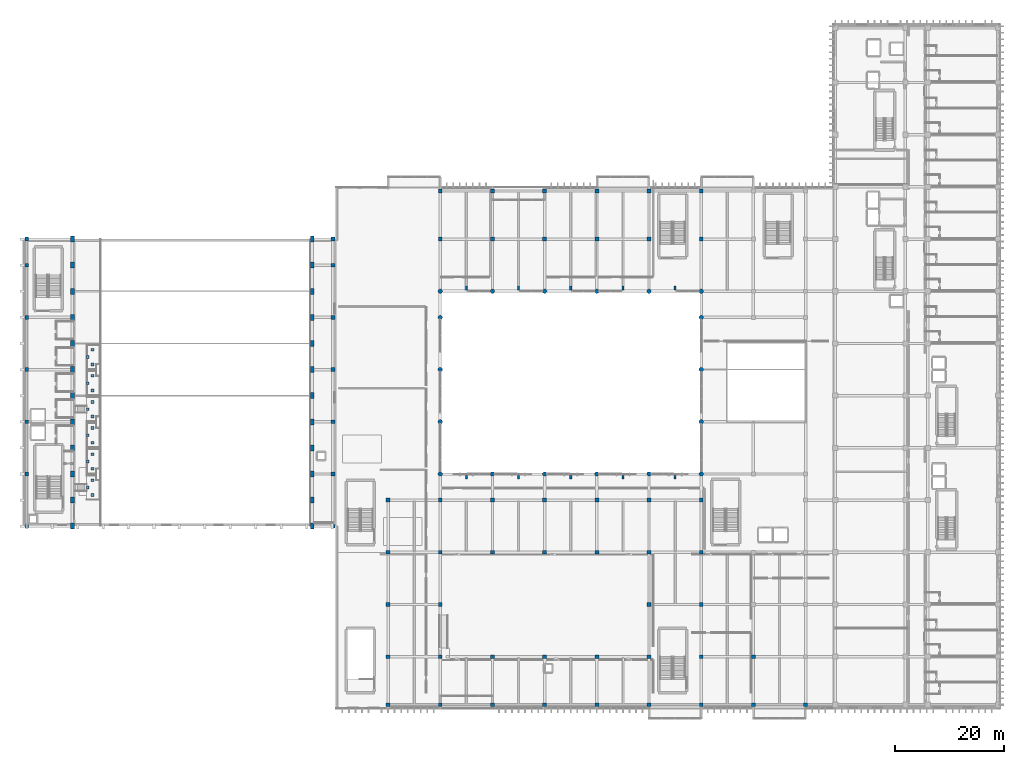
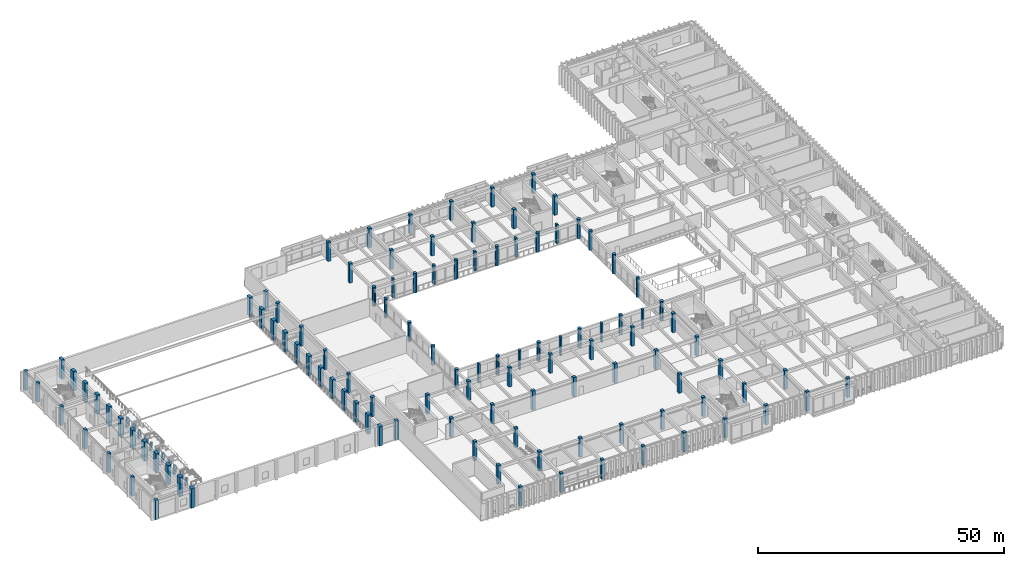
# One storey, part 1 of 133: 131 columns.
"""IFC4 building model written with IfcOpenShell, lengths in metres."""

import ifcopenshell
import ifcopenshell.guid

model = None  # the IFC model being written
_history = None  # IfcOwnerHistory: only IFC2X3 demands one
_inside = {}  # id of a spatial element -> (the spatial element, [elements in it])
_under = {}  # id of a project, library or spatial element -> (it, [spatial elements below it])
_declared = {}  # id of a project -> (the project, [libraries it declares])
_typed = {}  # id of a type object -> (the type object, [elements of that type])
_made_of = {}  # id of a material, layer set ... -> (it, [elements and type objects made of it])


def new_model(schema):
    """Start an empty IFC model of exactly this schema.

    Asked for "IFC4X3", IfcOpenShell would pick the latest addendum, in which some entities
    have other attributes; the version numbers below select the first issue.
    IFC2X3 requires an IfcOwnerHistory on every rooted entity: one is made here for all.
    """
    global model, _history
    if schema == "IFC4X3":
        model = ifcopenshell.file(schema_version=(4, 3, 0, 0))
    else:
        model = ifcopenshell.file(schema=schema)
    _inside.clear()
    _under.clear()
    _declared.clear()
    _typed.clear()
    _made_of.clear()
    _history = None
    if model.schema == "IFC2X3":
        org = make("IfcOrganization", Name="unknown")
        user = make(
            "IfcPersonAndOrganization",
            ThePerson=make("IfcPerson", FamilyName="unknown"),
            TheOrganization=org,
        )
        app = make(
            "IfcApplication",
            ApplicationDeveloper=org,
            Version="unknown",
            ApplicationFullName="unknown",
            ApplicationIdentifier="unknown",
        )
        _history = make(
            "IfcOwnerHistory",
            OwningUser=user,
            OwningApplication=app,
            ChangeAction="ADDED",
            CreationDate=0,
        )
    return model


def make(cls, **values):
    """One entity of the class cls with the attributes given. An attribute that is None is left unset."""
    return model.create_entity(
        cls, **{name: value for name, value in values.items() if value is not None}
    )


def rooted(cls, **values):
    """An entity with a GlobalId (a new one), such as an element, a storey or a relation."""
    return make(cls, GlobalId=ifcopenshell.guid.new(), OwnerHistory=_history, **values)


def si_unit(unit_type, name, prefix=None):
    """IfcSIUnit, for example si_unit("LENGTHUNIT", "METRE", prefix="MILLI")."""
    return make("IfcSIUnit", UnitType=unit_type, Prefix=prefix, Name=name)


def assignment(units):
    """IfcUnitAssignment: the units of a project."""
    return None if units is None else make("IfcUnitAssignment", Units=units)


def point(xyz):
    """IfcCartesianPoint."""
    return None if xyz is None else make("IfcCartesianPoint", Coordinates=xyz)


def direction(xyz):
    """IfcDirection."""
    return None if xyz is None else make("IfcDirection", DirectionRatios=xyz)


def frame(location, z_axis=None, x_axis=None):
    """IfcAxis2Placement3D, a coordinate frame: its origin and axes. An axis left out is left unset."""
    return make(
        "IfcAxis2Placement3D",
        Location=point(location),
        Axis=direction(z_axis),
        RefDirection=direction(x_axis),
    )


def frame_2d(location, x_axis=None):
    """IfcAxis2Placement2D, a coordinate frame in the plane: its origin and x axis."""
    return make(
        "IfcAxis2Placement2D", Location=point(location), RefDirection=direction(x_axis)
    )


def origin():
    """The frame at (0, 0, 0) with its axes left unset."""
    return frame((0.0, 0.0, 0.0))


def origin_2d():
    """The frame at (0, 0) in the plane with its x axis left unset."""
    return frame_2d((0.0, 0.0))


def place(relative_to, where):
    """IfcLocalPlacement: puts the frame where relative to a parent placement (None: the world)."""
    return make(
        "IfcLocalPlacement", PlacementRelTo=relative_to, RelativePlacement=where
    )


def context(
    kind, dimensions, precision=None, world=None, true_north=None, identifier=None
):
    """IfcGeometricRepresentationContext, for example the 3D "Model" context."""
    return make(
        "IfcGeometricRepresentationContext",
        ContextIdentifier=identifier,
        ContextType=kind,
        CoordinateSpaceDimension=dimensions,
        Precision=precision,
        WorldCoordinateSystem=world,
        TrueNorth=true_north,
    )


def subcontext(parent, identifier, kind, view, scale=None):
    """IfcGeometricRepresentationSubContext, for example "Body" below "Model"."""
    return make(
        "IfcGeometricRepresentationSubContext",
        ContextIdentifier=identifier,
        ContextType=kind,
        ParentContext=parent,
        TargetScale=scale,
        TargetView=view,
    )


def project(units=None, contexts=None):
    """IfcProject with its units and contexts."""
    return rooted(
        "IfcProject",
        Name="project",
        RepresentationContexts=contexts,
        UnitsInContext=assignment(units),
    )


def spatial(cls, under=None, at=None, **own):
    """A site, building, storey or space (cls), placed at a placement, below another one or the project."""
    s = rooted(cls, ObjectPlacement=at, **own)
    if under is not None:
        _under.setdefault(under.id(), (under, []))[1].append(s)
    return s


def profile(cls, at=None, kind="AREA", **sizes):
    """A parametric profile (cls). Its sizes go by their IFC names, for example OverallWidth=200.0."""
    return make(cls, ProfileType=kind, Position=at, **sizes)


def rectangle(**sizes):
    """IfcRectangleProfileDef."""
    return profile("IfcRectangleProfileDef", **sizes)


def circle(**sizes):
    """IfcCircleProfileDef."""
    return profile("IfcCircleProfileDef", **sizes)


def extrude(swept, where, along, depth):
    """IfcExtrudedAreaSolid: the profile swept, set in the frame where, extruded along a direction by depth."""
    return make(
        "IfcExtrudedAreaSolid",
        SweptArea=swept,
        Position=where,
        ExtrudedDirection=direction(along),
        Depth=depth,
    )


def shape(context_of_items, identifier, shape_type, items):
    """IfcShapeRepresentation: the items that make up one representation, for example the "Body"."""
    return make(
        "IfcShapeRepresentation",
        ContextOfItems=context_of_items,
        RepresentationIdentifier=identifier,
        RepresentationType=shape_type,
        Items=items,
    )


def material(Name=None, Category=None):
    """IfcMaterial."""
    return make("IfcMaterial", Name=Name, Category=Category)


def material_profile(
    of_material, cross_section, Name=None, Category=None, Priority=None
):
    """IfcMaterialProfile: a cross section and its material."""
    return make(
        "IfcMaterialProfile",
        Name=Name,
        Material=of_material,
        Profile=cross_section,
        Priority=Priority,
        Category=Category,
    )


def profile_set(profiles, Name=None, composite=None):
    """IfcMaterialProfileSet."""
    return make(
        "IfcMaterialProfileSet",
        Name=Name,
        MaterialProfiles=profiles,
        CompositeProfile=composite,
    )


def made_of(thing, what):
    """Note that an element or type object is made of a material, layer set ...; save() writes the relation."""
    if what is not None:
        _made_of.setdefault(what.id(), (what, []))[1].append(thing)
    return thing


def type_object(cls, material=None, **own):
    """A type object (cls), such as IfcWallType, which elements share."""
    return made_of(rooted(cls, **own), material)


def element(
    cls,
    number,
    at=None,
    inside=None,
    cuts=None,
    type_object=None,
    material=None,
    context=None,
    identifier="Body",
    shape_type=None,
    held_by="IfcProductDefinitionShape",
    body=None,
    shapes=None,
    **own,
):
    """One element of the class cls, such as IfcWall. Its Tag is "e" and its number.

    at: its placement. inside: the storey or other place that contains it. cuts: it is an
    opening in that element (IfcRelVoidsElement). A single representation is given by context,
    identifier, shape_type and body (its items); several are given by shapes. held_by: the class
    of the entity that holds the representations. save() writes the other relations.
    """
    e = rooted(cls, Tag="e%d" % number, ObjectPlacement=at, **own)
    if body is not None:
        shapes = [shape(context, identifier, shape_type, body)]
    if shapes is not None:
        e.Representation = make(held_by, Representations=shapes)
    if inside is not None:
        _inside.setdefault(inside.id(), (inside, []))[1].append(e)
    if cuts is not None:
        rooted(
            "IfcRelVoidsElement", RelatingBuildingElement=cuts, RelatedOpeningElement=e
        )
    if type_object is not None:
        _typed.setdefault(type_object.id(), (type_object, []))[1].append(e)
    return made_of(e, material)


def aggregate(whole, parts):
    """IfcRelAggregates: a whole, such as a stair, and the parts it consists of."""
    return rooted("IfcRelAggregates", RelatingObject=whole, RelatedObjects=parts)


def save(model, path):
    """Write the relations noted so far, then the file.

    IfcRelAggregates (storeys below a building ...), IfcRelContainedInSpatialStructure (elements
    in a storey), IfcRelDefinesByType, IfcRelAssociatesMaterial and IfcRelDeclares: one each for
    every whole, place, type object, material and project.
    """
    for whole, parts in _under.values():
        aggregate(whole, parts)
    for where, things in _inside.values():
        rooted(
            "IfcRelContainedInSpatialStructure",
            RelatedElements=things,
            RelatingStructure=where,
        )
    for kind, things in _typed.values():
        rooted("IfcRelDefinesByType", RelatedObjects=things, RelatingType=kind)
    for what, things in _made_of.values():
        rooted("IfcRelAssociatesMaterial", RelatedObjects=things, RelatingMaterial=what)
    for by, libraries in _declared.values():
        rooted("IfcRelDeclares", RelatingContext=by, RelatedDefinitions=libraries)
    model.write(path)


model = new_model("IFC4")

# Units and contexts
model_context = context("Model", 3, precision=1e-05, world=origin(), true_north=direction((0.0, 1.0)))
body_context = subcontext(model_context, "Body", "Model", "MODEL_VIEW")
ifc_project = project(units=[si_unit("LENGTHUNIT", "METRE"), si_unit("AREAUNIT", "SQUARE_METRE"), si_unit("VOLUMEUNIT", "CUBIC_METRE"), si_unit("PLANEANGLEUNIT", "RADIAN"), si_unit("MASSUNIT", "GRAM", prefix="KILO")], contexts=[model_context])

# Site, building, storey
site_placement = place(None, origin())
site = spatial("IfcSite", under=ifc_project, at=site_placement, CompositionType="ELEMENT")
building_placement = place(site_placement, origin())
building = spatial("IfcBuilding", under=site, at=building_placement, Name="Nakhvara Creek Congress Hotel", CompositionType="ELEMENT")
storey_placement = place(building_placement, frame((0.0, 0.0, 11.39990234375)))
storey = spatial("IfcBuildingStorey", under=building, at=storey_placement, Name="L02", CompositionType="ELEMENT", Elevation=11.39990234375)

# Columns
ifc_material = material(Name="Concrete C50/60", Category="concrete")
ifc_material_profile_1 = material_profile(ifc_material, rectangle(XDim=0.5, YDim=0.5, at=origin_2d()), Name="RC-COL 500x500", Category="LoadBearing")
ifc_profile_set_1 = profile_set([ifc_material_profile_1], Name="Concrete C50/60")
column_type_1 = type_object("IfcColumnType", Name="COL-RC-500", PredefinedType="COLUMN", material=ifc_profile_set_1)
for number, where, z_axis, x_axis, name in (
    (1, (12.85009765625, 39.35009765625, 0.0), (0.0, 0.0, 1.0), (1.0, 0.0, 0.0), "Congress Stand Riser Pier L02-1.1"),
    (2, (12.85009765625, 42.050048828125, 0.0), (0.0, 0.0, 1.0), (1.0, 0.0, 0.0), "Congress Stand Riser Pier L02-1.2"),
    (3, (11.949951171875, 40.699951171875, 0.0), (0.0, 0.0, 1.0), (1.0, 0.0, 0.0), "Congress Stand Riser Pier L02-1.3"),
):
    element("IfcColumn", number, at=place(storey_placement, frame(where, z_axis=z_axis, x_axis=x_axis)), inside=storey, type_object=column_type_1, Name=name, PredefinedType="COLUMN", context=body_context, shape_type="SweptSolid", body=[
        extrude(rectangle(XDim=0.5, YDim=0.5, at=origin_2d()), origin(), (0.0, 0.0, 1.0), 0.875),
    ])
for number, where, z_axis, x_axis, name in (
    (4, (12.85009765625, 44.14990234375, 0.0), (0.0, 0.0, 1.0), (1.0, 0.0, 0.0), "Congress Stand Riser Pier L02-2.1"),
    (5, (12.85009765625, 46.85009765625, 0.0), (0.0, 0.0, 1.0), (1.0, 0.0, 0.0), "Congress Stand Riser Pier L02-2.2"),
    (6, (11.949951171875, 45.5, 0.0), (0.0, 0.0, 1.0), (1.0, 0.0, 0.0), "Congress Stand Riser Pier L02-2.3"),
):
    element("IfcColumn", number, at=place(storey_placement, frame(where, z_axis=z_axis, x_axis=x_axis)), inside=storey, type_object=column_type_1, Name=name, PredefinedType="COLUMN", context=body_context, shape_type="SweptSolid", body=[
        extrude(rectangle(XDim=0.5, YDim=0.5, at=origin_2d()), origin(), (0.0, 0.0, 1.0), 1.025146484375),
    ])
for number, where, z_axis, x_axis, name in (
    (7, (12.85009765625, 48.949951171875, 0.0), (0.0, 0.0, 1.0), (1.0, 0.0, 0.0), "Congress Stand Riser Pier L02-3.1"),
    (8, (12.85009765625, 51.64990234375, 0.0), (0.0, 0.0, 1.0), (1.0, 0.0, 0.0), "Congress Stand Riser Pier L02-3.2"),
    (9, (11.949951171875, 50.300048828125, 0.0), (0.0, 0.0, 1.0), (1.0, 0.0, 0.0), "Congress Stand Riser Pier L02-3.3"),
):
    element("IfcColumn", number, at=place(storey_placement, frame(where, z_axis=z_axis, x_axis=x_axis)), inside=storey, type_object=column_type_1, Name=name, PredefinedType="COLUMN", context=body_context, shape_type="SweptSolid", body=[
        extrude(rectangle(XDim=0.5, YDim=0.5, at=origin_2d()), origin(), (0.0, 0.0, 1.0), 1.175048828125),
    ])
for number, where, z_axis, x_axis, name in (
    (10, (12.85009765625, 53.75, 0.0), (0.0, 0.0, 1.0), (1.0, 0.0, 0.0), "Congress Stand Riser Pier L02-4.1"),
    (11, (12.85009765625, 56.449951171875, 0.0), (0.0, 0.0, 1.0), (1.0, 0.0, 0.0), "Congress Stand Riser Pier L02-4.2"),
    (12, (11.949951171875, 55.10009765625, 0.0), (0.0, 0.0, 1.0), (1.0, 0.0, 0.0), "Congress Stand Riser Pier L02-4.3"),
):
    element("IfcColumn", number, at=place(storey_placement, frame(where, z_axis=z_axis, x_axis=x_axis)), inside=storey, type_object=column_type_1, Name=name, PredefinedType="COLUMN", context=body_context, shape_type="SweptSolid", body=[
        extrude(rectangle(XDim=0.5, YDim=0.5, at=origin_2d()), origin(), (0.0, 0.0, 1.0), 0.875),
    ])
for number, where, z_axis, x_axis, name in (
    (13, (12.85009765625, 58.550048828125, 0.0), (0.0, 0.0, 1.0), (1.0, 0.0, 0.0), "Congress Stand Riser Pier L02-5.1"),
    (14, (12.85009765625, 61.25, 0.0), (0.0, 0.0, 1.0), (1.0, 0.0, 0.0), "Congress Stand Riser Pier L02-5.2"),
    (15, (11.949951171875, 59.89990234375, 0.0), (0.0, 0.0, 1.0), (1.0, 0.0, 0.0), "Congress Stand Riser Pier L02-5.3"),
):
    element("IfcColumn", number, at=place(storey_placement, frame(where, z_axis=z_axis, x_axis=x_axis)), inside=storey, type_object=column_type_1, Name=name, PredefinedType="COLUMN", context=body_context, shape_type="SweptSolid", body=[
        extrude(rectangle(XDim=0.5, YDim=0.5, at=origin_2d()), origin(), (0.0, 0.0, 1.0), 1.025146484375),
    ])
for number, where, z_axis, x_axis, name in (
    (16, (12.85009765625, 63.35009765625, 0.0), (0.0, 0.0, 1.0), (1.0, 0.0, 0.0), "Congress Stand Riser Pier L02-6.1"),
    (17, (12.85009765625, 66.050048828125, 0.0), (0.0, 0.0, 1.0), (1.0, 0.0, 0.0), "Congress Stand Riser Pier L02-6.2"),
    (18, (11.949951171875, 64.699951171875, 0.0), (0.0, 0.0, 1.0), (1.0, 0.0, 0.0), "Congress Stand Riser Pier L02-6.3"),
):
    element("IfcColumn", number, at=place(storey_placement, frame(where, z_axis=z_axis, x_axis=x_axis)), inside=storey, type_object=column_type_1, Name=name, PredefinedType="COLUMN", context=body_context, shape_type="SweptSolid", body=[
        extrude(rectangle(XDim=0.5, YDim=0.5, at=origin_2d()), origin(), (0.0, 0.0, 1.0), 1.175048828125),
    ])
ifc_material_profile_2 = material_profile(ifc_material, rectangle(XDim=0.699951171875, YDim=0.699951171875, at=origin_2d()), Name="RC-COL 700x700", Category="LoadBearing")
ifc_profile_set_2 = profile_set([ifc_material_profile_2], Name="Concrete C50/60")
column_type_2 = type_object("IfcColumnType", Name="COL-RC-700", PredefinedType="COLUMN", material=ifc_profile_set_2)
for number, where, z_axis, x_axis, name in (
    (19, (0.75, 33.60009765625, 0.0), (0.0, 0.0, 1.0), (1.0, 0.0, 0.0), "Column C06-L02-1036"),
    (20, (57.050048828125, 33.60009765625, 0.0), (0.0, 0.0, 1.0), (1.0, 0.0, 0.0), "Column C06-L02-1037"),
    (21, (0.75, 43.199951171875, 0.0), (0.0, 0.0, 1.0), (1.0, 0.0, 0.0), "Column C06-L02-1038"),
    (22, (57.050048828125, 43.199951171875, 0.0), (0.0, 0.0, 1.0), (1.0, 0.0, 0.0), "Column C06-L02-1039"),
    (23, (0.75, 52.800048828125, 0.0), (0.0, 0.0, 1.0), (1.0, 0.0, 0.0), "Column C06-L02-1040"),
    (24, (57.050048828125, 52.800048828125, 0.0), (0.0, 0.0, 1.0), (1.0, 0.0, 0.0), "Column C06-L02-1041"),
    (25, (0.75, 62.39990234375, 0.0), (0.0, 0.0, 1.0), (1.0, 0.0, 0.0), "Column C06-L02-1042"),
    (26, (57.050048828125, 62.39990234375, 0.0), (0.0, 0.0, 1.0), (1.0, 0.0, 0.0), "Column C06-L02-1043"),
    (27, (0.75, 72.0, 0.0), (0.0, 0.0, 1.0), (1.0, 0.0, 0.0), "Column C06-L02-1044"),
    (28, (57.050048828125, 72.0, 0.0), (0.0, 0.0, 1.0), (1.0, 0.0, 0.0), "Column C06-L02-1045"),
    (29, (0.75, 81.60009765625, 0.0), (0.0, 0.0, 1.0), (1.0, 0.0, 0.0), "Column C06-L02-1046"),
    (30, (57.050048828125, 81.60009765625, 0.0), (0.0, 0.0, 1.0), (1.0, 0.0, 0.0), "Column C06-L02-1047"),
    (31, (0.75, 86.39990234375, 0.0), (0.0, 0.0, 1.0), (1.0, 0.0, 0.0), "Column C06-L02-1048"),
    (32, (57.050048828125, 86.39990234375, 0.0), (0.0, 0.0, 1.0), (1.0, 0.0, 0.0), "Column C06-L02-1049"),
    (33, (67.199951171875, 0.75, 0.0), (0.0, 0.0, 1.0), (1.0, 0.0, 0.0), "Column C06-L02-1074"),
    (34, (67.199951171875, 9.60009765625, 0.0), (0.0, 0.0, 1.0), (1.0, 0.0, 0.0), "Column C06-L02-1075"),
    (35, (67.199951171875, 19.199951171875, 0.0), (0.0, 0.0, 1.0), (1.0, 0.0, 0.0), "Column C06-L02-1076"),
    (36, (67.199951171875, 28.800048828125, 0.0), (0.0, 0.0, 1.0), (1.0, 0.0, 0.0), "Column C06-L02-1077"),
    (37, (67.199951171875, 38.39990234375, 0.0), (0.0, 0.0, 1.0), (1.0, 0.0, 0.0), "Column C06-L02-1078"),
    (38, (76.800048828125, 0.75, 0.0), (0.0, 0.0, 1.0), (1.0, 0.0, 0.0), "Column C06-L02-1079"),
    (39, (76.800048828125, 9.60009765625, 0.0), (0.0, 0.0, 1.0), (1.0, 0.0, 0.0), "Column C06-L02-1080"),
    (40, (76.800048828125, 19.199951171875, 0.0), (0.0, 0.0, 1.0), (1.0, 0.0, 0.0), "Column C06-L02-1081"),
    (41, (76.800048828125, 28.800048828125, 0.0), (0.0, 0.0, 1.0), (1.0, 0.0, 0.0), "Column C06-L02-1082"),
    (42, (76.800048828125, 38.39990234375, 0.0), (0.0, 0.0, 1.0), (1.0, 0.0, 0.0), "Column C06-L02-1083"),
    (43, (76.800048828125, 86.39990234375, 0.0), (0.0, 0.0, 1.0), (1.0, 0.0, 0.0), "Column C06-L02-1089"),
    (44, (76.800048828125, 95.25, 0.0), (0.0, 0.0, 1.0), (1.0, 0.0, 0.0), "Column C06-L02-1090"),
    (45, (86.39990234375, 0.75, 0.0), (0.0, 0.0, 1.0), (1.0, 0.0, 0.0), "Column C06-L02-1091"),
    (46, (86.39990234375, 9.60009765625, 0.0), (0.0, 0.0, 1.0), (1.0, 0.0, 0.0), "Column C06-L02-1092"),
    (47, (86.39990234375, 28.800048828125, 0.0), (0.0, 0.0, 1.0), (1.0, 0.0, 0.0), "Column C06-L02-1093"),
    (48, (86.39990234375, 38.39990234375, 0.0), (0.0, 0.0, 1.0), (1.0, 0.0, 0.0), "Column C06-L02-1094"),
    (49, (86.39990234375, 86.39990234375, 0.0), (0.0, 0.0, 1.0), (1.0, 0.0, 0.0), "Column C06-L02-1097"),
    (50, (86.39990234375, 95.25, 0.0), (0.0, 0.0, 1.0), (1.0, 0.0, 0.0), "Column C06-L02-1098"),
    (51, (96.0, 0.75, 0.0), (0.0, 0.0, 1.0), (1.0, 0.0, 0.0), "Column C06-L02-1099"),
    (52, (96.0, 9.60009765625, 0.0), (0.0, 0.0, 1.0), (1.0, 0.0, 0.0), "Column C06-L02-1100"),
    (53, (96.0, 28.800048828125, 0.0), (0.0, 0.0, 1.0), (1.0, 0.0, 0.0), "Column C06-L02-1101"),
    (54, (96.0, 38.39990234375, 0.0), (0.0, 0.0, 1.0), (1.0, 0.0, 0.0), "Column C06-L02-1102"),
    (55, (96.0, 86.39990234375, 0.0), (0.0, 0.0, 1.0), (1.0, 0.0, 0.0), "Column C06-L02-1105"),
    (56, (96.0, 95.25, 0.0), (0.0, 0.0, 1.0), (1.0, 0.0, 0.0), "Column C06-L02-1106"),
    (57, (105.60009765625, 0.75, 0.0), (0.0, 0.0, 1.0), (1.0, 0.0, 0.0), "Column C06-L02-1107"),
    (58, (105.60009765625, 9.60009765625, 0.0), (0.0, 0.0, 1.0), (1.0, 0.0, 0.0), "Column C06-L02-1108"),
    (59, (105.60009765625, 28.800048828125, 0.0), (0.0, 0.0, 1.0), (1.0, 0.0, 0.0), "Column C06-L02-1109"),
    (60, (105.60009765625, 38.39990234375, 0.0), (0.0, 0.0, 1.0), (1.0, 0.0, 0.0), "Column C06-L02-1110"),
    (61, (105.60009765625, 86.39990234375, 0.0), (0.0, 0.0, 1.0), (1.0, 0.0, 0.0), "Column C06-L02-1113"),
    (62, (105.60009765625, 95.25, 0.0), (0.0, 0.0, 1.0), (1.0, 0.0, 0.0), "Column C06-L02-1114"),
    (63, (115.199951171875, 0.75, 0.0), (0.0, 0.0, 1.0), (1.0, 0.0, 0.0), "Column C06-L02-1115"),
    (64, (115.199951171875, 9.60009765625, 0.0), (0.0, 0.0, 1.0), (1.0, 0.0, 0.0), "Column C06-L02-1116"),
    (65, (115.199951171875, 19.199951171875, 0.0), (0.0, 0.0, 1.0), (1.0, 0.0, 0.0), "Column C06-L02-1117"),
    (66, (115.199951171875, 28.800048828125, 0.0), (0.0, 0.0, 1.0), (1.0, 0.0, 0.0), "Column C06-L02-1118"),
    (67, (115.199951171875, 38.39990234375, 0.0), (0.0, 0.0, 1.0), (1.0, 0.0, 0.0), "Column C06-L02-1119"),
    (68, (115.199951171875, 86.39990234375, 0.0), (0.0, 0.0, 1.0), (1.0, 0.0, 0.0), "Column C06-L02-1122"),
    (69, (115.199951171875, 95.25, 0.0), (0.0, 0.0, 1.0), (1.0, 0.0, 0.0), "Column C06-L02-1123"),
    (70, (124.800048828125, 0.75, 0.0), (0.0, 0.0, 1.0), (1.0, 0.0, 0.0), "Column C06-L02-1124"),
    (71, (124.800048828125, 9.60009765625, 0.0), (0.0, 0.0, 1.0), (1.0, 0.0, 0.0), "Column C06-L02-1125"),
    (72, (124.800048828125, 19.199951171875, 0.0), (0.0, 0.0, 1.0), (1.0, 0.0, 0.0), "Column C06-L02-1126"),
    (73, (124.800048828125, 28.800048828125, 0.0), (0.0, 0.0, 1.0), (1.0, 0.0, 0.0), "Column C06-L02-1127"),
    (74, (124.800048828125, 38.39990234375, 0.0), (0.0, 0.0, 1.0), (1.0, 0.0, 0.0), "Column C06-L02-1128"),
    (75, (124.800048828125, 86.39990234375, 0.0), (0.0, 0.0, 1.0), (1.0, 0.0, 0.0), "Column C06-L02-1134"),
    (76, (124.800048828125, 95.25, 0.0), (0.0, 0.0, 1.0), (1.0, 0.0, 0.0), "Column C06-L02-1135"),
    (77, (134.39990234375, 0.75, 0.0), (0.0, 0.0, 1.0), (1.0, 0.0, 0.0), "Column C06-L02-1136"),
    (78, (134.39990234375, 9.60009765625, 0.0), (0.0, 0.0, 1.0), (1.0, 0.0, 0.0), "Column C06-L02-1137"),
    (79, (144.0, 0.75, 0.0), (0.0, 0.0, 1.0), (1.0, 0.0, 0.0), "Column C06-L02-1146"),
):
    element("IfcColumn", number, at=place(storey_placement, frame(where, z_axis=z_axis, x_axis=x_axis)), inside=storey, type_object=column_type_2, Name=name, PredefinedType="COLUMN", context=body_context, shape_type="SweptSolid", body=[
        extrude(rectangle(XDim=0.699951171875, YDim=0.699951171875, at=origin_2d()), origin(), (0.0, 0.0, 1.0), 4.800048828125),
    ])
ifc_material_profile_3 = material_profile(ifc_material, rectangle(XDim=0.699951171875, YDim=1.10009765625, at=origin_2d()), Name="RC-COL 700x1100", Category="LoadBearing")
ifc_profile_set_3 = profile_set([ifc_material_profile_3], Name="Concrete C50/60")
column_type_3 = type_object("IfcColumnType", Name="COL-RC-700X1100", PredefinedType="COLUMN", material=ifc_profile_set_3)
for number, where, z_axis, x_axis, name in (
    (80, (9.14990234375, 33.60009765625, 0.0), (0.0, 0.0, 1.0), (1.0, 0.0, 0.0), "Column C12-L02-1050"),
    (81, (53.25, 33.60009765625, 0.0), (0.0, 0.0, 1.0), (1.0, 0.0, 0.0), "Column C12-L02-1051"),
    (82, (9.14990234375, 38.39990234375, 0.0), (0.0, 0.0, 1.0), (1.0, 0.0, 0.0), "Column C12-L02-1052"),
    (83, (53.25, 38.39990234375, 0.0), (0.0, 0.0, 1.0), (1.0, 0.0, 0.0), "Column C12-L02-1053"),
    (84, (9.14990234375, 43.199951171875, 0.0), (0.0, 0.0, 1.0), (1.0, 0.0, 0.0), "Column C12-L02-1054"),
    (85, (53.25, 43.199951171875, 0.0), (0.0, 0.0, 1.0), (1.0, 0.0, 0.0), "Column C12-L02-1055"),
    (86, (9.14990234375, 48.0, 0.0), (0.0, 0.0, 1.0), (1.0, 0.0, 0.0), "Column C12-L02-1056"),
    (87, (53.25, 48.0, 0.0), (0.0, 0.0, 1.0), (1.0, 0.0, 0.0), "Column C12-L02-1057"),
    (88, (9.14990234375, 52.800048828125, 0.0), (0.0, 0.0, 1.0), (1.0, 0.0, 0.0), "Column C12-L02-1058"),
    (89, (53.25, 52.800048828125, 0.0), (0.0, 0.0, 1.0), (1.0, 0.0, 0.0), "Column C12-L02-1059"),
    (90, (9.14990234375, 57.60009765625, 0.0), (0.0, 0.0, 1.0), (1.0, 0.0, 0.0), "Column C12-L02-1060"),
    (91, (53.25, 57.60009765625, 0.0), (0.0, 0.0, 1.0), (1.0, 0.0, 0.0), "Column C12-L02-1061"),
    (92, (9.14990234375, 62.39990234375, 0.0), (0.0, 0.0, 1.0), (1.0, 0.0, 0.0), "Column C12-L02-1062"),
    (93, (53.25, 62.39990234375, 0.0), (0.0, 0.0, 1.0), (1.0, 0.0, 0.0), "Column C12-L02-1063"),
    (94, (9.14990234375, 67.199951171875, 0.0), (0.0, 0.0, 1.0), (1.0, 0.0, 0.0), "Column C12-L02-1064"),
    (95, (53.25, 67.199951171875, 0.0), (0.0, 0.0, 1.0), (1.0, 0.0, 0.0), "Column C12-L02-1065"),
    (96, (9.14990234375, 72.0, 0.0), (0.0, 0.0, 1.0), (1.0, 0.0, 0.0), "Column C12-L02-1066"),
    (97, (53.25, 72.0, 0.0), (0.0, 0.0, 1.0), (1.0, 0.0, 0.0), "Column C12-L02-1067"),
    (98, (9.14990234375, 76.800048828125, 0.0), (0.0, 0.0, 1.0), (1.0, 0.0, 0.0), "Column C12-L02-1068"),
    (99, (53.25, 76.800048828125, 0.0), (0.0, 0.0, 1.0), (1.0, 0.0, 0.0), "Column C12-L02-1069"),
    (100, (9.14990234375, 81.60009765625, 0.0), (0.0, 0.0, 1.0), (1.0, 0.0, 0.0), "Column C12-L02-1070"),
    (101, (53.25, 81.60009765625, 0.0), (0.0, 0.0, 1.0), (1.0, 0.0, 0.0), "Column C12-L02-1071"),
    (102, (9.14990234375, 86.39990234375, 0.0), (0.0, 0.0, 1.0), (1.0, 0.0, 0.0), "Column C12-L02-1072"),
    (103, (53.25, 86.39990234375, 0.0), (0.0, 0.0, 1.0), (1.0, 0.0, 0.0), "Column C12-L02-1073"),
):
    element("IfcColumn", number, at=place(storey_placement, frame(where, z_axis=z_axis, x_axis=x_axis)), inside=storey, type_object=column_type_3, Name=name, PredefinedType="COLUMN", context=body_context, shape_type="SweptSolid", body=[
        extrude(rectangle(XDim=0.699951171875, YDim=1.10009765625, at=origin_2d()), origin(), (0.0, 0.0, 1.0), 4.800048828125),
    ])
ifc_material_profile_4 = material_profile(ifc_material, circle(Radius=0.39990234375, at=origin_2d()), Name="RC-COL D800", Category="LoadBearing")
ifc_profile_set_4 = profile_set([ifc_material_profile_4], Name="Concrete C50/60")
column_type_4 = type_object("IfcColumnType", Name="COL-RC-D800", PredefinedType="COLUMN", material=ifc_profile_set_4)
for number, where, z_axis, x_axis, name in (
    (104, (76.800048828125, 43.199951171875, 0.0), (0.0, 0.0, 1.0), (1.0, 0.0, 0.0), "Column C14-L02-1084"),
    (105, (76.800048828125, 52.800048828125, 0.0), (0.0, 0.0, 1.0), (1.0, 0.0, 0.0), "Column C14-L02-1085"),
    (106, (76.800048828125, 62.39990234375, 0.0), (0.0, 0.0, 1.0), (1.0, 0.0, 0.0), "Column C14-L02-1086"),
    (107, (76.800048828125, 72.0, 0.0), (0.0, 0.0, 1.0), (1.0, 0.0, 0.0), "Column C14-L02-1087"),
    (108, (76.800048828125, 76.800048828125, 0.0), (0.0, 0.0, 1.0), (1.0, 0.0, 0.0), "Column C14-L02-1088"),
    (109, (86.39990234375, 43.199951171875, 0.0), (0.0, 0.0, 1.0), (1.0, 0.0, 0.0), "Column C14-L02-1095"),
    (110, (86.39990234375, 76.800048828125, 0.0), (0.0, 0.0, 1.0), (1.0, 0.0, 0.0), "Column C14-L02-1096"),
    (111, (96.0, 43.199951171875, 0.0), (0.0, 0.0, 1.0), (1.0, 0.0, 0.0), "Column C14-L02-1103"),
    (112, (96.0, 76.800048828125, 0.0), (0.0, 0.0, 1.0), (1.0, 0.0, 0.0), "Column C14-L02-1104"),
    (113, (105.60009765625, 43.199951171875, 0.0), (0.0, 0.0, 1.0), (1.0, 0.0, 0.0), "Column C14-L02-1111"),
    (114, (105.60009765625, 76.800048828125, 0.0), (0.0, 0.0, 1.0), (1.0, 0.0, 0.0), "Column C14-L02-1112"),
    (115, (115.199951171875, 43.199951171875, 0.0), (0.0, 0.0, 1.0), (1.0, 0.0, 0.0), "Column C14-L02-1120"),
    (116, (115.199951171875, 76.800048828125, 0.0), (0.0, 0.0, 1.0), (1.0, 0.0, 0.0), "Column C14-L02-1121"),
    (117, (124.800048828125, 43.199951171875, 0.0), (0.0, 0.0, 1.0), (1.0, 0.0, 0.0), "Column C14-L02-1129"),
    (118, (124.800048828125, 52.800048828125, 0.0), (0.0, 0.0, 1.0), (1.0, 0.0, 0.0), "Column C14-L02-1130"),
    (119, (124.800048828125, 62.39990234375, 0.0), (0.0, 0.0, 1.0), (1.0, 0.0, 0.0), "Column C14-L02-1131"),
    (120, (124.800048828125, 72.0, 0.0), (0.0, 0.0, 1.0), (1.0, 0.0, 0.0), "Column C14-L02-1132"),
    (121, (124.800048828125, 76.800048828125, 0.0), (0.0, 0.0, 1.0), (1.0, 0.0, 0.0), "Column C14-L02-1133"),
):
    element("IfcColumn", number, at=place(storey_placement, frame(where, z_axis=z_axis, x_axis=x_axis)), inside=storey, type_object=column_type_4, Name=name, PredefinedType="COLUMN", context=body_context, shape_type="SweptSolid", body=[
        extrude(circle(Radius=0.39990234375, at=origin_2d()), origin(), (0.0, 0.0, 1.0), 4.800048828125),
    ])
ifc_material_profile_5 = material_profile(ifc_material, rectangle(XDim=0.39990234375, YDim=0.64990234375, at=origin_2d()), Name="RC-PIL 400x650", Category="LoadBearing")
ifc_profile_set_5 = profile_set([ifc_material_profile_5], Name="Concrete C50/60")
column_type_5 = type_object("IfcColumnType", Name="PIL-RC-400X650", PredefinedType="PILASTER", material=ifc_profile_set_5)
for number, where, z_axis, x_axis, name in (
    (122, (81.60009765625, 42.60009765625, 0.0), (0.0, 0.0, 1.0), (1.0, 0.0, 0.0), "Pilaster Pier PL1-L02-041"),
    (123, (91.199951171875, 42.60009765625, 0.0), (0.0, 0.0, 1.0), (1.0, 0.0, 0.0), "Pilaster Pier PL1-L02-042"),
    (124, (100.800048828125, 42.60009765625, 0.0), (0.0, 0.0, 1.0), (1.0, 0.0, 0.0), "Pilaster Pier PL1-L02-043"),
    (125, (110.39990234375, 42.60009765625, 0.0), (0.0, 0.0, 1.0), (1.0, 0.0, 0.0), "Pilaster Pier PL1-L02-044"),
    (126, (120.0, 42.60009765625, 0.0), (0.0, 0.0, 1.0), (1.0, 0.0, 0.0), "Pilaster Pier PL1-L02-045"),
    (127, (81.60009765625, 77.39990234375, 0.0), (0.0, 0.0, 1.0), (1.0, 0.0, 0.0), "Pilaster Pier PL1-L02-046"),
    (128, (91.199951171875, 77.39990234375, 0.0), (0.0, 0.0, 1.0), (1.0, 0.0, 0.0), "Pilaster Pier PL1-L02-047"),
    (129, (100.800048828125, 77.39990234375, 0.0), (0.0, 0.0, 1.0), (1.0, 0.0, 0.0), "Pilaster Pier PL1-L02-048"),
    (130, (110.39990234375, 77.39990234375, 0.0), (0.0, 0.0, 1.0), (1.0, 0.0, 0.0), "Pilaster Pier PL1-L02-049"),
    (131, (120.0, 77.39990234375, 0.0), (0.0, 0.0, 1.0), (1.0, 0.0, 0.0), "Pilaster Pier PL1-L02-050"),
):
    element("IfcColumn", number, at=place(storey_placement, frame(where, z_axis=z_axis, x_axis=x_axis)), inside=storey, type_object=column_type_5, Name=name, PredefinedType="PILASTER", context=body_context, shape_type="SweptSolid", body=[
        extrude(rectangle(XDim=0.39990234375, YDim=0.64990234375, at=origin_2d()), origin(), (0.0, 0.0, 1.0), 4.800048828125),
    ])

save(model, "model.ifc")
